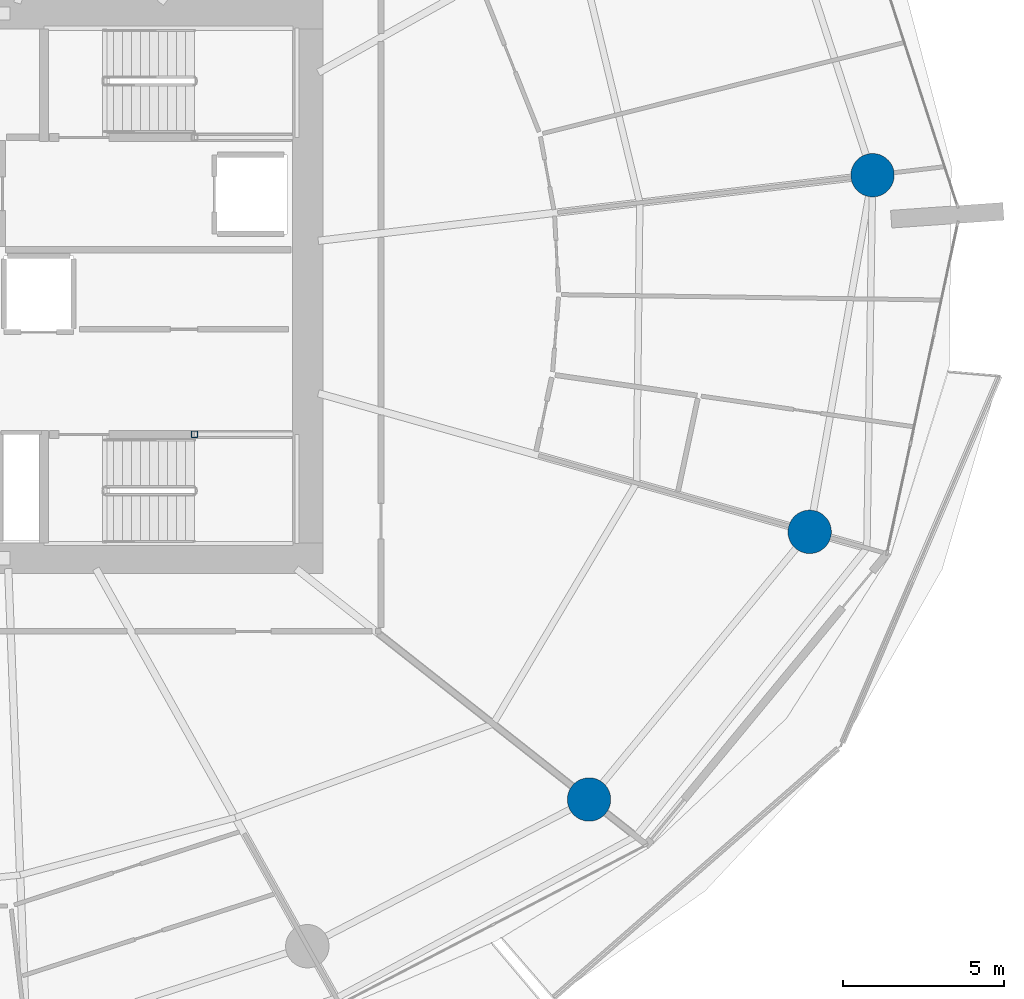
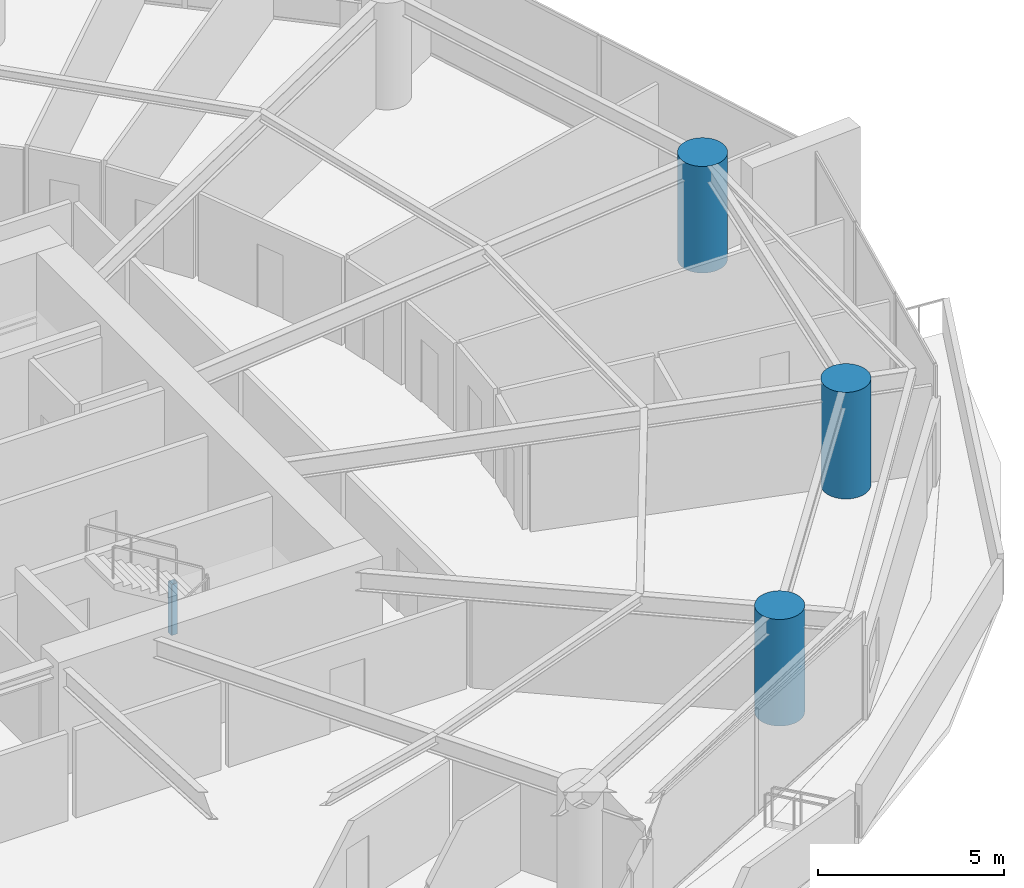
# One storey, part 3 of 31: 4 columns.
"""IFC4 building model written with IfcOpenShell, lengths in metres."""

import ifcopenshell
import ifcopenshell.guid

model = None  # the IFC model being written
_history = None  # IfcOwnerHistory: only IFC2X3 demands one
_inside = {}  # id of a spatial element -> (the spatial element, [elements in it])
_under = {}  # id of a project, library or spatial element -> (it, [spatial elements below it])
_declared = {}  # id of a project -> (the project, [libraries it declares])
_typed = {}  # id of a type object -> (the type object, [elements of that type])
_made_of = {}  # id of a material, layer set ... -> (it, [elements and type objects made of it])


def new_model(schema):
    """Start an empty IFC model of exactly this schema.

    Asked for "IFC4X3", IfcOpenShell would pick the latest addendum, in which some entities
    have other attributes; the version numbers below select the first issue.
    IFC2X3 requires an IfcOwnerHistory on every rooted entity: one is made here for all.
    """
    global model, _history
    if schema == "IFC4X3":
        model = ifcopenshell.file(schema_version=(4, 3, 0, 0))
    else:
        model = ifcopenshell.file(schema=schema)
    _inside.clear()
    _under.clear()
    _declared.clear()
    _typed.clear()
    _made_of.clear()
    _history = None
    if model.schema == "IFC2X3":
        org = make("IfcOrganization", Name="unknown")
        user = make(
            "IfcPersonAndOrganization",
            ThePerson=make("IfcPerson", FamilyName="unknown"),
            TheOrganization=org,
        )
        app = make(
            "IfcApplication",
            ApplicationDeveloper=org,
            Version="unknown",
            ApplicationFullName="unknown",
            ApplicationIdentifier="unknown",
        )
        _history = make(
            "IfcOwnerHistory",
            OwningUser=user,
            OwningApplication=app,
            ChangeAction="ADDED",
            CreationDate=0,
        )
    return model


def make(cls, **values):
    """One entity of the class cls with the attributes given. An attribute that is None is left unset."""
    return model.create_entity(
        cls, **{name: value for name, value in values.items() if value is not None}
    )


def rooted(cls, **values):
    """An entity with a GlobalId (a new one), such as an element, a storey or a relation."""
    return make(cls, GlobalId=ifcopenshell.guid.new(), OwnerHistory=_history, **values)


def si_unit(unit_type, name, prefix=None):
    """IfcSIUnit, for example si_unit("LENGTHUNIT", "METRE", prefix="MILLI")."""
    return make("IfcSIUnit", UnitType=unit_type, Prefix=prefix, Name=name)


def assignment(units):
    """IfcUnitAssignment: the units of a project."""
    return None if units is None else make("IfcUnitAssignment", Units=units)


def point(xyz):
    """IfcCartesianPoint."""
    return None if xyz is None else make("IfcCartesianPoint", Coordinates=xyz)


def direction(xyz):
    """IfcDirection."""
    return None if xyz is None else make("IfcDirection", DirectionRatios=xyz)


def frame(location, z_axis=None, x_axis=None):
    """IfcAxis2Placement3D, a coordinate frame: its origin and axes. An axis left out is left unset."""
    return make(
        "IfcAxis2Placement3D",
        Location=point(location),
        Axis=direction(z_axis),
        RefDirection=direction(x_axis),
    )


def frame_2d(location, x_axis=None):
    """IfcAxis2Placement2D, a coordinate frame in the plane: its origin and x axis."""
    return make(
        "IfcAxis2Placement2D", Location=point(location), RefDirection=direction(x_axis)
    )


def origin():
    """The frame at (0, 0, 0) with its axes left unset."""
    return frame((0.0, 0.0, 0.0))


def origin_2d():
    """The frame at (0, 0) in the plane with its x axis left unset."""
    return frame_2d((0.0, 0.0))


def place(relative_to, where):
    """IfcLocalPlacement: puts the frame where relative to a parent placement (None: the world)."""
    return make(
        "IfcLocalPlacement", PlacementRelTo=relative_to, RelativePlacement=where
    )


def context(
    kind, dimensions, precision=None, world=None, true_north=None, identifier=None
):
    """IfcGeometricRepresentationContext, for example the 3D "Model" context."""
    return make(
        "IfcGeometricRepresentationContext",
        ContextIdentifier=identifier,
        ContextType=kind,
        CoordinateSpaceDimension=dimensions,
        Precision=precision,
        WorldCoordinateSystem=world,
        TrueNorth=true_north,
    )


def subcontext(parent, identifier, kind, view, scale=None):
    """IfcGeometricRepresentationSubContext, for example "Body" below "Model"."""
    return make(
        "IfcGeometricRepresentationSubContext",
        ContextIdentifier=identifier,
        ContextType=kind,
        ParentContext=parent,
        TargetScale=scale,
        TargetView=view,
    )


def project(units=None, contexts=None):
    """IfcProject with its units and contexts."""
    return rooted(
        "IfcProject",
        Name="project",
        RepresentationContexts=contexts,
        UnitsInContext=assignment(units),
    )


def spatial(cls, under=None, at=None, **own):
    """A site, building, storey or space (cls), placed at a placement, below another one or the project."""
    s = rooted(cls, ObjectPlacement=at, **own)
    if under is not None:
        _under.setdefault(under.id(), (under, []))[1].append(s)
    return s


def profile(cls, at=None, kind="AREA", **sizes):
    """A parametric profile (cls). Its sizes go by their IFC names, for example OverallWidth=200.0."""
    return make(cls, ProfileType=kind, Position=at, **sizes)


def hollow_rectangle(**sizes):
    """IfcRectangleHollowProfileDef."""
    return profile("IfcRectangleHollowProfileDef", **sizes)


def circle(**sizes):
    """IfcCircleProfileDef."""
    return profile("IfcCircleProfileDef", **sizes)


def extrude(swept, where, along, depth):
    """IfcExtrudedAreaSolid: the profile swept, set in the frame where, extruded along a direction by depth."""
    return make(
        "IfcExtrudedAreaSolid",
        SweptArea=swept,
        Position=where,
        ExtrudedDirection=direction(along),
        Depth=depth,
    )


def shape(context_of_items, identifier, shape_type, items):
    """IfcShapeRepresentation: the items that make up one representation, for example the "Body"."""
    return make(
        "IfcShapeRepresentation",
        ContextOfItems=context_of_items,
        RepresentationIdentifier=identifier,
        RepresentationType=shape_type,
        Items=items,
    )


def material(Name=None, Category=None):
    """IfcMaterial."""
    return make("IfcMaterial", Name=Name, Category=Category)


def material_profile(
    of_material, cross_section, Name=None, Category=None, Priority=None
):
    """IfcMaterialProfile: a cross section and its material."""
    return make(
        "IfcMaterialProfile",
        Name=Name,
        Material=of_material,
        Profile=cross_section,
        Priority=Priority,
        Category=Category,
    )


def profile_set(profiles, Name=None, composite=None):
    """IfcMaterialProfileSet."""
    return make(
        "IfcMaterialProfileSet",
        Name=Name,
        MaterialProfiles=profiles,
        CompositeProfile=composite,
    )


def made_of(thing, what):
    """Note that an element or type object is made of a material, layer set ...; save() writes the relation."""
    if what is not None:
        _made_of.setdefault(what.id(), (what, []))[1].append(thing)
    return thing


def type_object(cls, material=None, **own):
    """A type object (cls), such as IfcWallType, which elements share."""
    return made_of(rooted(cls, **own), material)


def element(
    cls,
    number,
    at=None,
    inside=None,
    cuts=None,
    type_object=None,
    material=None,
    context=None,
    identifier="Body",
    shape_type=None,
    held_by="IfcProductDefinitionShape",
    body=None,
    shapes=None,
    **own,
):
    """One element of the class cls, such as IfcWall. Its Tag is "e" and its number.

    at: its placement. inside: the storey or other place that contains it. cuts: it is an
    opening in that element (IfcRelVoidsElement). A single representation is given by context,
    identifier, shape_type and body (its items); several are given by shapes. held_by: the class
    of the entity that holds the representations. save() writes the other relations.
    """
    e = rooted(cls, Tag="e%d" % number, ObjectPlacement=at, **own)
    if body is not None:
        shapes = [shape(context, identifier, shape_type, body)]
    if shapes is not None:
        e.Representation = make(held_by, Representations=shapes)
    if inside is not None:
        _inside.setdefault(inside.id(), (inside, []))[1].append(e)
    if cuts is not None:
        rooted(
            "IfcRelVoidsElement", RelatingBuildingElement=cuts, RelatedOpeningElement=e
        )
    if type_object is not None:
        _typed.setdefault(type_object.id(), (type_object, []))[1].append(e)
    return made_of(e, material)


def aggregate(whole, parts):
    """IfcRelAggregates: a whole, such as a stair, and the parts it consists of."""
    return rooted("IfcRelAggregates", RelatingObject=whole, RelatedObjects=parts)


def save(model, path):
    """Write the relations noted so far, then the file.

    IfcRelAggregates (storeys below a building ...), IfcRelContainedInSpatialStructure (elements
    in a storey), IfcRelDefinesByType, IfcRelAssociatesMaterial and IfcRelDeclares: one each for
    every whole, place, type object, material and project.
    """
    for whole, parts in _under.values():
        aggregate(whole, parts)
    for where, things in _inside.values():
        rooted(
            "IfcRelContainedInSpatialStructure",
            RelatedElements=things,
            RelatingStructure=where,
        )
    for kind, things in _typed.values():
        rooted("IfcRelDefinesByType", RelatedObjects=things, RelatingType=kind)
    for what, things in _made_of.values():
        rooted("IfcRelAssociatesMaterial", RelatedObjects=things, RelatingMaterial=what)
    for by, libraries in _declared.values():
        rooted("IfcRelDeclares", RelatingContext=by, RelatedDefinitions=libraries)
    model.write(path)


model = new_model("IFC4")

# Units and contexts
model_context = context("Model", 3, precision=1e-05, world=origin(), true_north=direction((0.0, 1.0)))
body_context = subcontext(model_context, "Body", "Model", "MODEL_VIEW")
ifc_project = project(units=[si_unit("LENGTHUNIT", "METRE"), si_unit("AREAUNIT", "SQUARE_METRE"), si_unit("VOLUMEUNIT", "CUBIC_METRE"), si_unit("PLANEANGLEUNIT", "RADIAN"), si_unit("MASSUNIT", "GRAM", prefix="KILO")], contexts=[model_context])

# Site, building, storey
site_placement = place(None, origin())
site = spatial("IfcSite", under=ifc_project, at=site_placement, CompositionType="ELEMENT")
building_placement = place(site_placement, origin())
building = spatial("IfcBuilding", under=site, at=building_placement, Name="Kazma Halo Residences", CompositionType="ELEMENT")
storey_placement = place(building_placement, frame((0.0, 0.0, 41.39990234375)))
storey = spatial("IfcBuildingStorey", under=building, at=storey_placement, Name="L09", CompositionType="ELEMENT", Elevation=41.39990234375)

# Columns
ifc_material_1 = material(Name="Steel S355", Category="steel")
ifc_material_profile_1 = material_profile(ifc_material_1, hollow_rectangle(XDim=0.199951171875, YDim=0.199951171875, WallThickness=0.010009765625, InnerFilletRadius=0.010009765625, OuterFilletRadius=0.02001953125, at=origin_2d()), Name="SHS200x200x10")
ifc_profile_set_1 = profile_set([ifc_material_profile_1], Name="Steel S355")
column_type_1 = type_object("IfcColumnType", Name="COL-LP-SHS200", PredefinedType="COLUMN", material=ifc_profile_set_1)
column_placement = place(storey_placement, frame((56.0, 37.3798828125, 0.0), z_axis=(0.0, 0.0, 1.0), x_axis=(1.0, 0.0, 0.0)))
element("IfcColumn", 1, at=column_placement, inside=storey, type_object=column_type_1, Name="L09 ST-03 landing pilaster 1", PredefinedType="COLUMN", context=body_context, shape_type="SweptSolid", body=[
    extrude(hollow_rectangle(XDim=0.199951171875, YDim=0.199951171875, WallThickness=0.010009765625, InnerFilletRadius=0.010009765625, OuterFilletRadius=0.02001953125, at=origin_2d()), origin(), (0.0, 0.0, 1.0), 1.670166015625),
])
ifc_material_2 = material(Name="Concrete C80/95", Category="concrete")
ifc_material_profile_2 = material_profile(ifc_material_2, circle(Radius=0.675048828125, at=origin_2d()), Name="CIRC1350")
ifc_profile_set_2 = profile_set([ifc_material_profile_2], Name="Concrete C80/95")
column_type_2 = type_object("IfcColumnType", Name="COL-PERIM-1350", PredefinedType="COLUMN", material=ifc_profile_set_2)
for number, where, z_axis, x_axis, name in (
    (2, (68.27587890625, 26.015869140625, 0.0), (0.0, 0.0, 1.0), (1.0, 0.0, 0.0), "L09 perimeter ring column P14"),
    (3, (75.140869140625, 34.345458984375, 0.0), (0.0, 0.0, 1.0), (1.0, 0.0, 0.0), "L09 perimeter ring column P15"),
    (4, (77.097900390625, 45.444091796875, 0.0), (0.0, 0.0, 1.0), (1.0, 0.0, 0.0), "L09 perimeter ring column P16"),
):
    element("IfcColumn", number, at=place(storey_placement, frame(where, z_axis=z_axis, x_axis=x_axis)), inside=storey, type_object=column_type_2, Name=name, PredefinedType="COLUMN", context=body_context, shape_type="SweptSolid", body=[
        extrude(circle(Radius=0.675048828125, at=origin_2d()), origin(), (0.0, 0.0, 1.0), 3.5),
    ])

save(model, "model.ifc")
